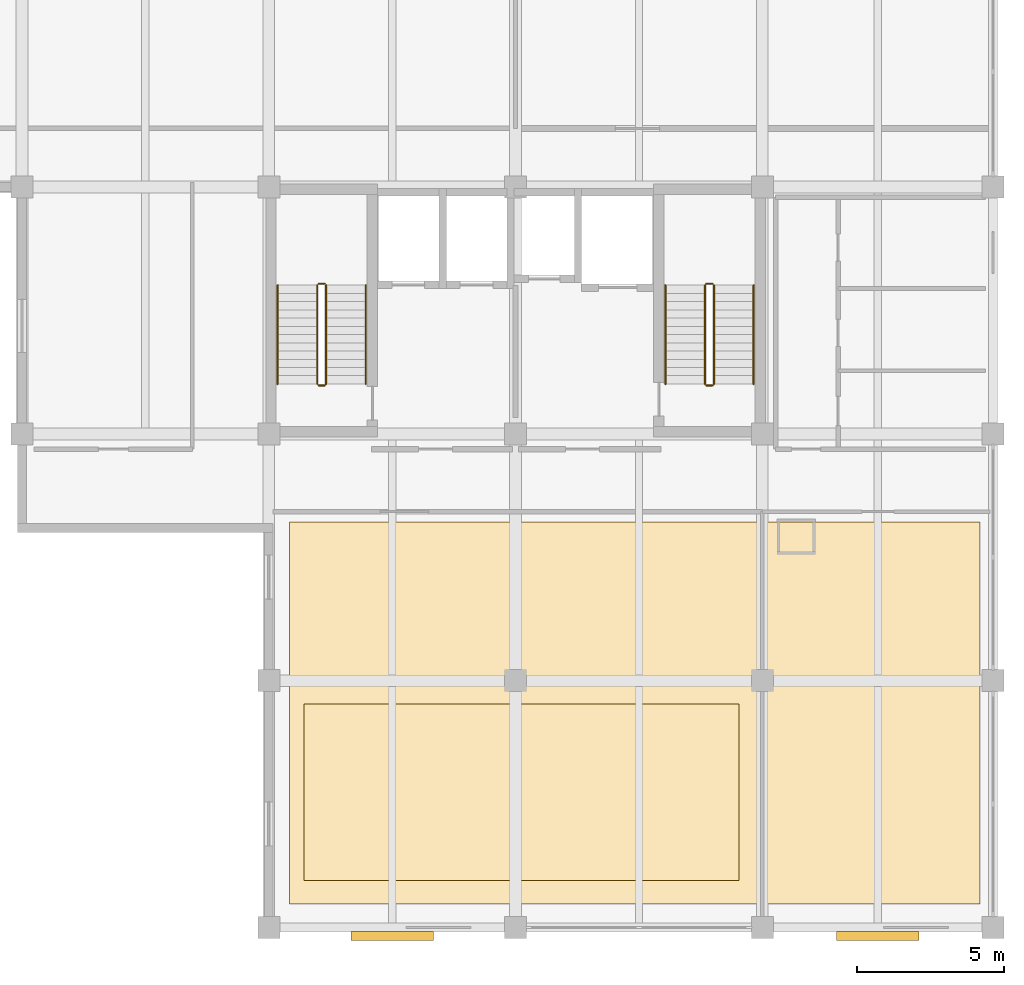
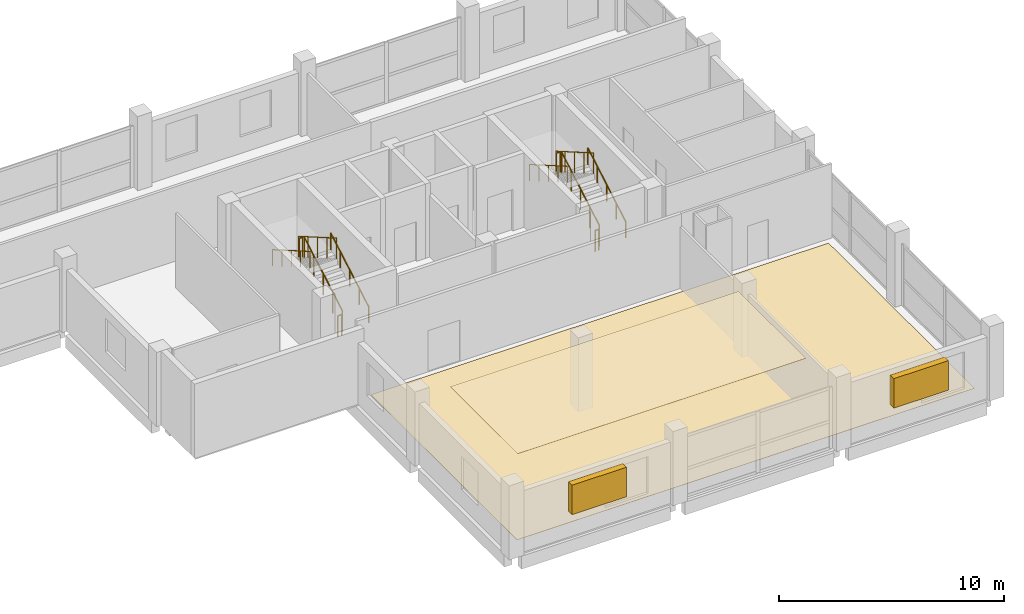
# One storey, part 9 of 9: 12 railings, 2 coverings, 2 shading devices.
"""IFC4 building model written with IfcOpenShell, lengths in metres."""

from ifc_helpers import new_model, si_unit, direction, frame, origin, origin_2d, place, context, subcontext, project, spatial, polyline, rectangle, circle, outline, extrude, material, layer, layer_set, type_object, element, save


model = new_model("IFC4")

# Units and contexts
model_context = context("Model", 3, precision=1e-05, world=origin(), true_north=direction((0.0, 1.0)))
body_context = subcontext(model_context, "Body", "Model", "MODEL_VIEW")
ifc_project = project(units=[si_unit("LENGTHUNIT", "METRE"), si_unit("AREAUNIT", "SQUARE_METRE"), si_unit("VOLUMEUNIT", "CUBIC_METRE"), si_unit("PLANEANGLEUNIT", "RADIAN"), si_unit("MASSUNIT", "GRAM", prefix="KILO")], contexts=[model_context])

# Site, building, storey
site_placement = place(None, origin())
site = spatial("IfcSite", under=ifc_project, at=site_placement, CompositionType="ELEMENT")
building_placement = place(site_placement, origin())
building = spatial("IfcBuilding", under=site, at=building_placement, Name="Brinegate Botanical Conservatory", CompositionType="ELEMENT")
storey_placement = place(building_placement, frame((0.0, 0.0, 48.60009765625)))
storey = spatial("IfcBuildingStorey", under=building, at=storey_placement, Name="L12", CompositionType="ELEMENT", Elevation=48.60009765625)

# Coverings
ifc_material_1 = material(Name="Moisture-resistant acoustic mineral-fibre ceiling board", Category="gypsum")
ifc_layer_1 = layer(ifc_material_1, 0.02001953125, Name="Moisture-resistant acoustic mineral-fibre ceiling board", Category="gypsum")
ifc_layer_set_1 = layer_set([ifc_layer_1], Name="Moisture-resistant acoustic mineral-fibre ceiling board")
covering_type_1 = type_object("IfcCoveringType", Name="Cov_CLG-LAB", PredefinedType="CEILING", material=ifc_layer_set_1)
covering_1_placement = place(storey_placement, frame((0.0, 0.0, 4.010009765625)))
element("IfcCovering", 1, at=covering_1_placement, inside=storey, type_object=covering_type_1, Name="Laboratory acoustic mineral-fibre ceiling L12", PredefinedType="CEILING", context=body_context, shape_type="SweptSolid", body=[
    extrude(outline(polyline([(140.0, 80.0), (154.800048828125, 80.0), (154.800048828125, 86.0), (140.0, 86.0), (140.0, 80.0)])), origin(), (0.0, 0.0, 1.0), 0.019775390625),
])
ifc_material_2 = material(Name="Seamless chemical-resistant terrazzo and epoxy flooring", Category="concrete")
ifc_layer_2 = layer(ifc_material_2, 0.014892578125, Name="Seamless chemical-resistant terrazzo and epoxy flooring", Category="concrete")
ifc_layer_set_2 = layer_set([ifc_layer_2], Name="Seamless chemical-resistant terrazzo and epoxy flooring")
covering_type_2 = type_object("IfcCoveringType", Name="Cov_FLR-LAB", PredefinedType="FLOORING", material=ifc_layer_set_2)
covering_2_placement = place(storey_placement, origin())
element("IfcCovering", 2, at=covering_2_placement, inside=storey, type_object=covering_type_2, Name="Laboratory seamless terrazzo floor finish L12", PredefinedType="FLOORING", context=body_context, shape_type="SweptSolid", body=[
    extrude(outline(polyline([(139.5, 79.199951171875), (163.0, 79.199951171875), (163.0, 92.199951171875), (139.5, 92.199951171875), (139.5, 79.199951171875)])), origin(), (0.0, 0.0, 1.0), 0.014892578125),
])

# Railings
ifc_material_3 = material(Name="Structural steel Q355B / S355 painted tubular guardrail", Category="steel")
railing_type_1 = type_object("IfcRailingType", Name="Rail_ST-GRD", PredefinedType="GUARDRAIL", material=ifc_material_3)
railing_1_placement = place(storey_placement, frame((140.75, 96.89990234375, 0.161376953125)))
element("IfcRailing", 3, at=railing_1_placement, inside=storey, type_object=railing_type_1, Name="L12 ST1 stair guard 1", PredefinedType="GUARDRAIL", context=body_context, shape_type="SweptSolid", body=[
    extrude(circle(Radius=0.02392578125, at=origin_2d()), frame((0.0, 0.0, 1.1259765625), z_axis=(0.0, 0.866190824863, 0.499713372768), x_axis=(-1.0, 0.0, 0.0)), (0.0, 0.0, 1.0), 3.879150390625),
    extrude(circle(Radius=0.02099609375, at=origin_2d()), origin(), (0.0, 0.0, 1.0), 1.101806640625),
    extrude(circle(Radius=0.02099609375, at=origin_2d()), frame((0.0, 0.840087890625, 0.484619140625)), (0.0, 0.0, 1.0), 1.101806640625),
    extrude(circle(Radius=0.02099609375, at=origin_2d()), frame((0.0, 1.68017578125, 0.96923828125)), (0.0, 0.0, 1.0), 1.101806640625),
    extrude(circle(Radius=0.02099609375, at=origin_2d()), frame((0.0, 2.52001953125, 1.453857421875)), (0.0, 0.0, 1.0), 1.101806640625),
    extrude(circle(Radius=0.02099609375, at=origin_2d()), frame((0.0, 3.360107421875, 1.9384765625)), (0.0, 0.0, 1.0), 1.101806640625),
])
railing_2_placement = place(storey_placement, frame((140.699951171875, 100.31005859375, 2.099853515625)))
element("IfcRailing", 4, at=railing_2_placement, inside=storey, type_object=railing_type_1, Name="L12 ST1 stair guard 2", PredefinedType="GUARDRAIL", context=body_context, shape_type="SweptSolid", body=[
    extrude(circle(Radius=0.02392578125, at=origin_2d()), frame((0.0, 0.0, 1.1259765625), z_axis=(-1.0, 0.0, 0.0), x_axis=(0.0, -1.0, 0.0)), (0.0, 0.0, 1.0), 0.199951171875),
    extrude(circle(Radius=0.02099609375, at=origin_2d()), origin(), (0.0, 0.0, 1.0), 1.101806640625),
    extrude(circle(Radius=0.02099609375, at=origin_2d()), frame((-0.199951171875, 0.0, 0.0)), (0.0, 0.0, 1.0), 1.101806640625),
])
railing_3_placement = place(storey_placement, frame((140.449951171875, 100.260009765625, 2.261474609375)))
element("IfcRailing", 5, at=railing_3_placement, inside=storey, type_object=railing_type_1, Name="L12 ST1 stair guard 3", PredefinedType="GUARDRAIL", context=body_context, shape_type="SweptSolid", body=[
    extrude(circle(Radius=0.02392578125, at=origin_2d()), frame((0.0, 0.0, 1.1259765625), z_axis=(0.0, -0.866190824863, 0.499713372768), x_axis=(1.0, 0.0, 0.0)), (0.0, 0.0, 1.0), 3.879150390625),
    extrude(circle(Radius=0.02099609375, at=origin_2d()), origin(), (0.0, 0.0, 1.0), 1.101806640625),
    extrude(circle(Radius=0.02099609375, at=origin_2d()), frame((0.0, -0.840087890625, 0.484619140625)), (0.0, 0.0, 1.0), 1.101806640625),
    extrude(circle(Radius=0.02099609375, at=origin_2d()), frame((0.0, -1.68017578125, 0.96923828125)), (0.0, 0.0, 1.0), 1.101806640625),
    extrude(circle(Radius=0.02099609375, at=origin_2d()), frame((0.0, -2.52001953125, 1.453857421875)), (0.0, 0.0, 1.0), 1.101806640625),
    extrude(circle(Radius=0.02099609375, at=origin_2d()), frame((0.0, -3.360107421875, 1.9384765625)), (0.0, 0.0, 1.0), 1.101806640625),
])
railing_4_placement = place(storey_placement, frame((140.699951171875, 96.85009765625, 0.0)))
element("IfcRailing", 6, at=railing_4_placement, inside=storey, type_object=railing_type_1, Name="L12 ST1 stair guard 4", PredefinedType="GUARDRAIL", context=body_context, shape_type="SweptSolid", body=[
    extrude(circle(Radius=0.02392578125, at=origin_2d()), frame((0.0, 0.0, 1.1259765625), z_axis=(-1.0, 0.0, 0.0), x_axis=(0.0, -1.0, 0.0)), (0.0, 0.0, 1.0), 0.199951171875),
    extrude(circle(Radius=0.02099609375, at=origin_2d()), origin(), (0.0, 0.0, 1.0), 1.101806640625),
    extrude(circle(Radius=0.02099609375, at=origin_2d()), frame((-0.199951171875, 0.0, 0.0)), (0.0, 0.0, 1.0), 1.101806640625),
])
railing_5_placement = place(storey_placement, frame((153.949951171875, 96.89990234375, 0.161376953125)))
element("IfcRailing", 7, at=railing_5_placement, inside=storey, type_object=railing_type_1, Name="L12 ST2 stair guard 1", PredefinedType="GUARDRAIL", context=body_context, shape_type="SweptSolid", body=[
    extrude(circle(Radius=0.02392578125, at=origin_2d()), frame((0.0, 0.0, 1.1259765625), z_axis=(0.0, 0.866190824863, 0.499713372768), x_axis=(-1.0, 0.0, 0.0)), (0.0, 0.0, 1.0), 3.879150390625),
    extrude(circle(Radius=0.02099609375, at=origin_2d()), origin(), (0.0, 0.0, 1.0), 1.101806640625),
    extrude(circle(Radius=0.02099609375, at=origin_2d()), frame((0.0, 0.840087890625, 0.484619140625)), (0.0, 0.0, 1.0), 1.101806640625),
    extrude(circle(Radius=0.02099609375, at=origin_2d()), frame((0.0, 1.68017578125, 0.96923828125)), (0.0, 0.0, 1.0), 1.101806640625),
    extrude(circle(Radius=0.02099609375, at=origin_2d()), frame((0.0, 2.52001953125, 1.453857421875)), (0.0, 0.0, 1.0), 1.101806640625),
    extrude(circle(Radius=0.02099609375, at=origin_2d()), frame((0.0, 3.360107421875, 1.9384765625)), (0.0, 0.0, 1.0), 1.101806640625),
])
railing_6_placement = place(storey_placement, frame((153.89990234375, 100.31005859375, 2.099853515625)))
element("IfcRailing", 8, at=railing_6_placement, inside=storey, type_object=railing_type_1, Name="L12 ST2 stair guard 2", PredefinedType="GUARDRAIL", context=body_context, shape_type="SweptSolid", body=[
    extrude(circle(Radius=0.02392578125, at=origin_2d()), frame((0.0, 0.0, 1.1259765625), z_axis=(-1.0, 0.0, 0.0), x_axis=(0.0, -1.0, 0.0)), (0.0, 0.0, 1.0), 0.199951171875),
    extrude(circle(Radius=0.02099609375, at=origin_2d()), origin(), (0.0, 0.0, 1.0), 1.101806640625),
    extrude(circle(Radius=0.02099609375, at=origin_2d()), frame((-0.199951171875, 0.0, 0.0)), (0.0, 0.0, 1.0), 1.101806640625),
])
railing_7_placement = place(storey_placement, frame((153.64990234375, 100.260009765625, 2.261474609375)))
element("IfcRailing", 9, at=railing_7_placement, inside=storey, type_object=railing_type_1, Name="L12 ST2 stair guard 3", PredefinedType="GUARDRAIL", context=body_context, shape_type="SweptSolid", body=[
    extrude(circle(Radius=0.02392578125, at=origin_2d()), frame((0.0, 0.0, 1.1259765625), z_axis=(0.0, -0.866190824863, 0.499713372768), x_axis=(1.0, 0.0, 0.0)), (0.0, 0.0, 1.0), 3.879150390625),
    extrude(circle(Radius=0.02099609375, at=origin_2d()), origin(), (0.0, 0.0, 1.0), 1.101806640625),
    extrude(circle(Radius=0.02099609375, at=origin_2d()), frame((0.0, -0.840087890625, 0.484619140625)), (0.0, 0.0, 1.0), 1.101806640625),
    extrude(circle(Radius=0.02099609375, at=origin_2d()), frame((0.0, -1.68017578125, 0.96923828125)), (0.0, 0.0, 1.0), 1.101806640625),
    extrude(circle(Radius=0.02099609375, at=origin_2d()), frame((0.0, -2.52001953125, 1.453857421875)), (0.0, 0.0, 1.0), 1.101806640625),
    extrude(circle(Radius=0.02099609375, at=origin_2d()), frame((0.0, -3.360107421875, 1.9384765625)), (0.0, 0.0, 1.0), 1.101806640625),
])
railing_8_placement = place(storey_placement, frame((153.89990234375, 96.85009765625, 0.0)))
element("IfcRailing", 10, at=railing_8_placement, inside=storey, type_object=railing_type_1, Name="L12 ST2 stair guard 4", PredefinedType="GUARDRAIL", context=body_context, shape_type="SweptSolid", body=[
    extrude(circle(Radius=0.02392578125, at=origin_2d()), frame((0.0, 0.0, 1.1259765625), z_axis=(-1.0, 0.0, 0.0), x_axis=(0.0, -1.0, 0.0)), (0.0, 0.0, 1.0), 0.199951171875),
    extrude(circle(Radius=0.02099609375, at=origin_2d()), origin(), (0.0, 0.0, 1.0), 1.101806640625),
    extrude(circle(Radius=0.02099609375, at=origin_2d()), frame((-0.199951171875, 0.0, 0.0)), (0.0, 0.0, 1.0), 1.101806640625),
])
ifc_material_4 = material(Name="Brushed stainless steel S355 handrail", Category="steel")
railing_type_2 = type_object("IfcRailingType", Name="Rail_ST-HND", PredefinedType="HANDRAIL", material=ifc_material_4)
railing_9_placement = place(storey_placement, frame((142.10009765625, 96.89990234375, 0.161376953125)))
element("IfcRailing", 11, at=railing_9_placement, inside=storey, type_object=railing_type_2, Name="L12 ST1 stair handrail 1", PredefinedType="HANDRAIL", context=body_context, shape_type="SweptSolid", body=[
    extrude(circle(Radius=0.02392578125, at=origin_2d()), frame((0.0, 0.0, 0.8759765625), z_axis=(0.0, 0.866190824863, 0.499713372768), x_axis=(-1.0, 0.0, 0.0)), (0.0, 0.0, 1.0), 3.879150390625),
    extrude(circle(Radius=0.02099609375, at=origin_2d()), origin(), (0.0, 0.0, 1.0), 0.851806640625),
    extrude(circle(Radius=0.02099609375, at=origin_2d()), frame((0.0, 0.840087890625, 0.484619140625)), (0.0, 0.0, 1.0), 0.851806640625),
    extrude(circle(Radius=0.02099609375, at=origin_2d()), frame((0.0, 1.68017578125, 0.96923828125)), (0.0, 0.0, 1.0), 0.851806640625),
    extrude(circle(Radius=0.02099609375, at=origin_2d()), frame((0.0, 2.52001953125, 1.453857421875)), (0.0, 0.0, 1.0), 0.851806640625),
    extrude(circle(Radius=0.02099609375, at=origin_2d()), frame((0.0, 3.360107421875, 1.9384765625)), (0.0, 0.0, 1.0), 0.851806640625),
])
railing_10_placement = place(storey_placement, frame((139.10009765625, 100.260009765625, 2.261474609375)))
element("IfcRailing", 12, at=railing_10_placement, inside=storey, type_object=railing_type_2, Name="L12 ST1 stair handrail 2", PredefinedType="HANDRAIL", context=body_context, shape_type="SweptSolid", body=[
    extrude(circle(Radius=0.02392578125, at=origin_2d()), frame((0.0, 0.0, 0.8759765625), z_axis=(0.0, -0.866190824863, 0.499713372768), x_axis=(1.0, 0.0, 0.0)), (0.0, 0.0, 1.0), 3.879150390625),
    extrude(circle(Radius=0.02099609375, at=origin_2d()), origin(), (0.0, 0.0, 1.0), 0.851806640625),
    extrude(circle(Radius=0.02099609375, at=origin_2d()), frame((0.0, -0.840087890625, 0.484619140625)), (0.0, 0.0, 1.0), 0.851806640625),
    extrude(circle(Radius=0.02099609375, at=origin_2d()), frame((0.0, -1.68017578125, 0.96923828125)), (0.0, 0.0, 1.0), 0.851806640625),
    extrude(circle(Radius=0.02099609375, at=origin_2d()), frame((0.0, -2.52001953125, 1.453857421875)), (0.0, 0.0, 1.0), 0.851806640625),
    extrude(circle(Radius=0.02099609375, at=origin_2d()), frame((0.0, -3.360107421875, 1.9384765625)), (0.0, 0.0, 1.0), 0.851806640625),
])
railing_11_placement = place(storey_placement, frame((155.300048828125, 96.89990234375, 0.161376953125)))
element("IfcRailing", 13, at=railing_11_placement, inside=storey, type_object=railing_type_2, Name="L12 ST2 stair handrail 1", PredefinedType="HANDRAIL", context=body_context, shape_type="SweptSolid", body=[
    extrude(circle(Radius=0.02392578125, at=origin_2d()), frame((0.0, 0.0, 0.8759765625), z_axis=(0.0, 0.866190824863, 0.499713372768), x_axis=(-1.0, 0.0, 0.0)), (0.0, 0.0, 1.0), 3.879150390625),
    extrude(circle(Radius=0.02099609375, at=origin_2d()), origin(), (0.0, 0.0, 1.0), 0.851806640625),
    extrude(circle(Radius=0.02099609375, at=origin_2d()), frame((0.0, 0.840087890625, 0.484619140625)), (0.0, 0.0, 1.0), 0.851806640625),
    extrude(circle(Radius=0.02099609375, at=origin_2d()), frame((0.0, 1.68017578125, 0.96923828125)), (0.0, 0.0, 1.0), 0.851806640625),
    extrude(circle(Radius=0.02099609375, at=origin_2d()), frame((0.0, 2.52001953125, 1.453857421875)), (0.0, 0.0, 1.0), 0.851806640625),
    extrude(circle(Radius=0.02099609375, at=origin_2d()), frame((0.0, 3.360107421875, 1.9384765625)), (0.0, 0.0, 1.0), 0.851806640625),
])
railing_12_placement = place(storey_placement, frame((152.300048828125, 100.260009765625, 2.261474609375)))
element("IfcRailing", 14, at=railing_12_placement, inside=storey, type_object=railing_type_2, Name="L12 ST2 stair handrail 2", PredefinedType="HANDRAIL", context=body_context, shape_type="SweptSolid", body=[
    extrude(circle(Radius=0.02392578125, at=origin_2d()), frame((0.0, 0.0, 0.8759765625), z_axis=(0.0, -0.866190824863, 0.499713372768), x_axis=(1.0, 0.0, 0.0)), (0.0, 0.0, 1.0), 3.879150390625),
    extrude(circle(Radius=0.02099609375, at=origin_2d()), origin(), (0.0, 0.0, 1.0), 0.851806640625),
    extrude(circle(Radius=0.02099609375, at=origin_2d()), frame((0.0, -0.840087890625, 0.484619140625)), (0.0, 0.0, 1.0), 0.851806640625),
    extrude(circle(Radius=0.02099609375, at=origin_2d()), frame((0.0, -1.68017578125, 0.96923828125)), (0.0, 0.0, 1.0), 0.851806640625),
    extrude(circle(Radius=0.02099609375, at=origin_2d()), frame((0.0, -2.52001953125, 1.453857421875)), (0.0, 0.0, 1.0), 0.851806640625),
    extrude(circle(Radius=0.02099609375, at=origin_2d()), frame((0.0, -3.360107421875, 1.9384765625)), (0.0, 0.0, 1.0), 0.851806640625),
])

# Shading devices
ifc_material_5 = material(Name="Anodised aluminium AW-6063-T6 solar-storm fin bank", Category="aluminium")
shading_device_type = type_object("IfcShadingDeviceType", Name="Shade_SLV-02", PredefinedType="JALOUSIE", material=ifc_material_5)
for number, where, z_axis, x_axis, name in (
    (15, (143.0, 78.110107421875, 1.39990234375), (0.0, 0.0, 1.0), (1.0, 0.0, 0.0), "Research lab south storm louvre L12.1"),
    (16, (159.52490234375, 78.110107421875, 1.39990234375), (0.0, 0.0, 1.0), (1.0, 0.0, 0.0), "Research lab south storm louvre L12.3"),
):
    element("IfcShadingDevice", number, at=place(storey_placement, frame(where, z_axis=z_axis, x_axis=x_axis)), inside=storey, type_object=shading_device_type, Name=name, PredefinedType="JALOUSIE", context=body_context, shape_type="SweptSolid", body=[
        extrude(rectangle(XDim=2.800048828125, YDim=0.320068359375, at=origin_2d()), origin(), (0.0, 0.0, 1.0), 1.60009765625),
    ])

save(model, "model.ifc")
